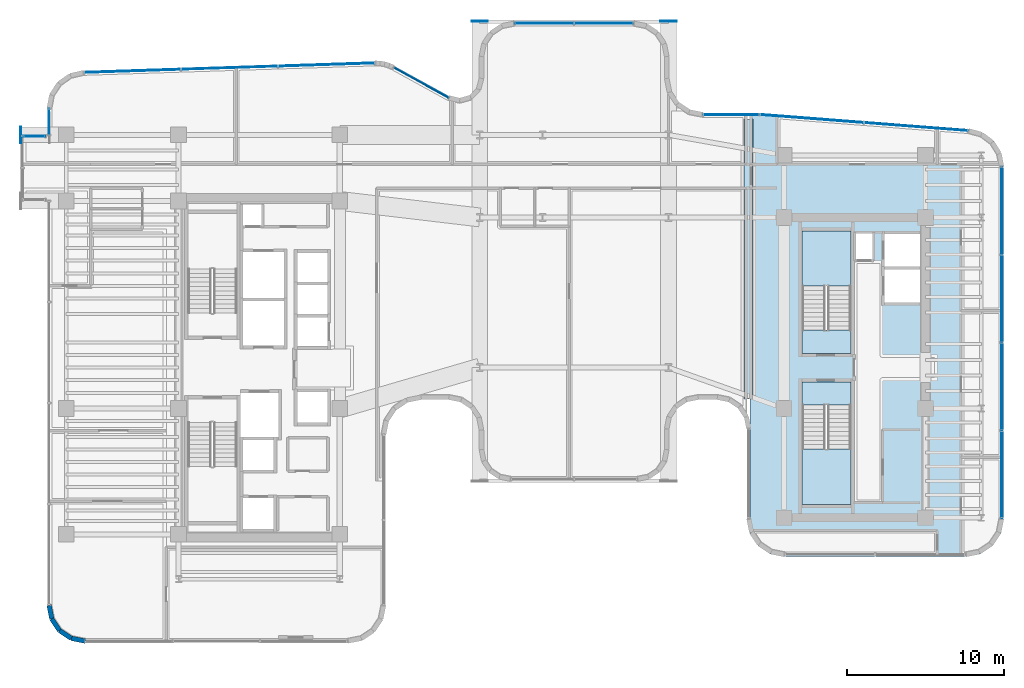
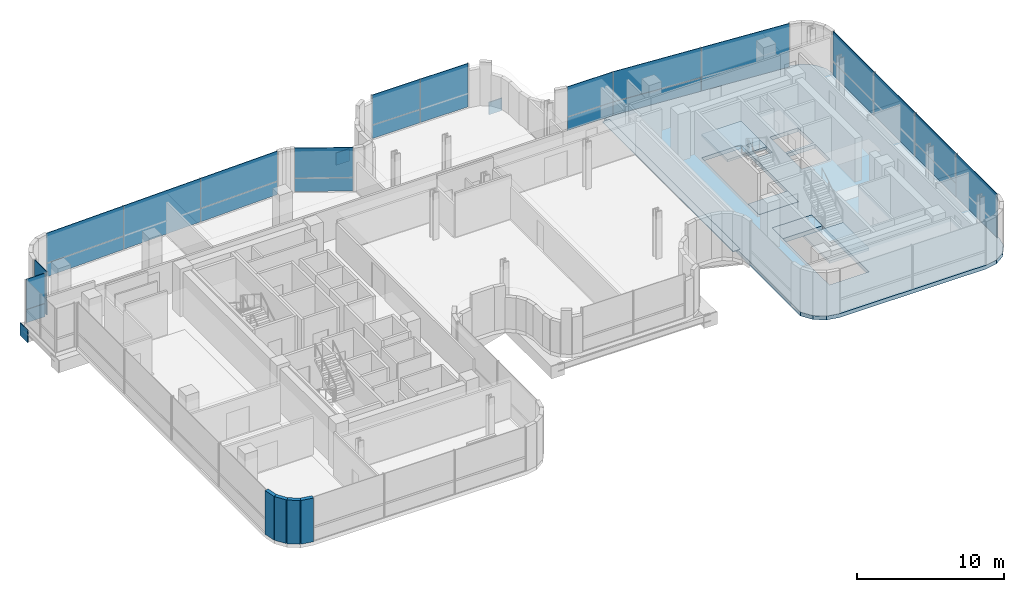
# One storey, part 26 of 37: 29 plates, 5 slabs, 4 walls, 10 elements without a shape of their own.
"""IFC4 building model written with IfcOpenShell, lengths in metres."""

from ifc_helpers import new_model, si_unit, direction, frame, frame_2d, origin, origin_2d, place, context, subcontext, project, spatial, polyline, rectangle, outline, extrude, source, transform, mapped, material, layer, layer_set, type_object, element, aggregate, save


model = new_model("IFC4")

# Units and contexts
model_context = context("Model", 3, precision=1e-05, world=origin(), true_north=direction((0.0, 1.0)))
body_context = subcontext(model_context, "Body", "Model", "MODEL_VIEW")
ifc_project = project(units=[si_unit("LENGTHUNIT", "METRE"), si_unit("AREAUNIT", "SQUARE_METRE"), si_unit("VOLUMEUNIT", "CUBIC_METRE"), si_unit("PLANEANGLEUNIT", "RADIAN"), si_unit("MASSUNIT", "GRAM", prefix="KILO")], contexts=[model_context])

# Site, building, storey
site_placement = place(None, origin())
site = spatial("IfcSite", under=ifc_project, at=site_placement, CompositionType="ELEMENT")
building_placement = place(site_placement, origin())
building = spatial("IfcBuilding", under=site, at=building_placement, Name="Valdorenza Pilgrim Sanctuary Tower", CompositionType="ELEMENT")
storey_placement = place(building_placement, frame((0.0, 0.0, 188.39990234375)))
storey = spatial("IfcBuildingStorey", under=building, at=storey_placement, Name="L48", CompositionType="ELEMENT", Elevation=188.39990234375)

# Slab
ifc_material_1 = material(Name="Concrete C40/50", Category="concrete")
ifc_layer_1 = layer(ifc_material_1, 0.320068359375, Name="Concrete C40/50")
ifc_layer_set_1 = layer_set([ifc_layer_1], Name="Concrete C40/50")
slab_type_1 = type_object("IfcSlabType", Name="SLAB-PRY-320", PredefinedType="FLOOR", material=ifc_layer_set_1)
slab_1_placement = place(storey_placement, frame((0.0, 0.0, -0.31982421875)))
element("IfcSlab", 1, at=slab_1_placement, inside=storey, type_object=slab_type_1, Name="L48 Structural Floor Slab 2", PredefinedType="FLOOR", context=body_context, shape_type="SweptSolid", body=[
    extrude(outline(polyline([(27.585205078125, 15.17138671875), (28.4453125, 14.93896484375), (29.161376953125, 14.408935546875), (29.634521484375, 13.654052734375), (29.800048828125, 12.778564453125), (29.800048828125, -9.60009765625), (29.6171875, -10.518310546875), (29.09716796875, -11.297119140625), (28.318359375, -11.8173828125), (27.39990234375, -12.0), (15.89990234375, -12.0), (14.981689453125, -11.8173828125), (14.202880859375, -11.297119140625), (13.6826171875, -10.518310546875), (13.679931640625, -10.5048828125), (13.679931640625, 16.199951171875), (14.300048828125, 16.199951171875), (27.585205078125, 15.17138671875)]), holes=[polyline([(17.0, -8.699951171875), (20.110107421875, -8.699951171875), (20.110107421875, -2.385009765625), (20.110107421875, -0.89990234375), (17.0, -0.89990234375), (17.0, -2.385009765625), (17.0, -8.699951171875)]), polyline([(17.0, 0.89990234375), (20.110107421875, 0.89990234375), (20.110107421875, 2.385009765625), (20.110107421875, 8.699951171875), (17.0, 8.699951171875), (17.0, 2.385009765625), (17.0, 0.89990234375)]), polyline([(22.25, 4.14990234375), (24.47998046875, 4.14990234375), (24.47998046875, 6.22509765625), (22.25, 6.22509765625), (22.25, 4.14990234375)]), polyline([(22.25, 6.425048828125), (24.47998046875, 6.425048828125), (24.47998046875, 8.5), (22.25, 8.5), (22.25, 6.425048828125)]), polyline([(20.409912109375, 6.860107421875), (21.489990234375, 6.860107421875), (21.489990234375, 8.52001953125), (20.409912109375, 8.52001953125), (20.409912109375, 6.860107421875)])]), origin(), (0.0, 0.0, 1.0), 0.31982421875),
])

# Stair, slab
stair_type = type_object("IfcStairType", Name="STR-DOG-CORE", PredefinedType="HALF_TURN_STAIR", material=ifc_material_1)
stair_1_placement = place(storey_placement, origin())
stair_1 = element("IfcStair", 2, at=stair_1_placement, inside=storey, type_object=stair_type, Name="L48 ST-B1", PredefinedType="HALF_TURN_STAIR")
ifc_layer_2 = layer(ifc_material_1, 0.199951171875, Name="Concrete C40/50")
ifc_layer_set_2 = layer_set([ifc_layer_2], Name="Concrete C40/50")
slab_type_2 = type_object("IfcSlabType", Name="SLAB-STL-200", PredefinedType="LANDING", material=ifc_layer_set_2)
slab_2_placement = place(storey_placement, frame((0.0, 0.0, 1.775146484375)))
slab_2 = element("IfcSlab", 3, at=slab_2_placement, type_object=slab_type_2, Name="ST-B1 landing 1", PredefinedType="LANDING", context=body_context, shape_type="SweptSolid", body=[
    extrude(outline(polyline([(20.110107421875, 5.179931640625), (20.110107421875, 8.699951171875), (17.0, 8.699951171875), (17.0, 5.179931640625), (20.110107421875, 5.179931640625)])), origin(), (0.0, 0.0, 1.0), 0.199951171875),
])
aggregate(stair_1, [slab_2])

stair_2_placement = place(storey_placement, origin())
stair_2 = element("IfcStair", 4, at=stair_2_placement, inside=storey, type_object=stair_type, Name="L48 ST-B2", PredefinedType="HALF_TURN_STAIR")
slab_3_placement = place(storey_placement, frame((0.0, 0.0, 1.775146484375)))
slab_3 = element("IfcSlab", 5, at=slab_3_placement, type_object=slab_type_2, Name="ST-B2 landing 1", PredefinedType="LANDING", context=body_context, shape_type="SweptSolid", body=[
    extrude(outline(polyline([(17.0, -5.179931640625), (17.0, -8.699951171875), (20.110107421875, -8.699951171875), (20.110107421875, -5.179931640625), (17.0, -5.179931640625)])), origin(), (0.0, 0.0, 1.0), 0.199951171875),
])
aggregate(stair_2, [slab_3])

# Slabs
ifc_material_2 = material(Name="Concrete C50/60", Category="concrete")
ifc_layer_3 = layer(ifc_material_2, 0.39990234375, Name="Concrete C50/60")
ifc_layer_set_3 = layer_set([ifc_layer_3], Name="Concrete C50/60")
slab_type_3 = type_object("IfcSlabType", Name="SLAB-TRF-400", PredefinedType="FLOOR", material=ifc_layer_set_3)
slab_4_placement = place(storey_placement, frame((0.0, 0.0, -0.35986328125)))
element("IfcSlab", 6, at=slab_4_placement, inside=storey, type_object=slab_type_3, Name="L48 ST-B1 Structural Stair Landing Bearing Slab", PredefinedType="FLOOR", context=body_context, shape_type="SweptSolid", body=[
    extrude(outline(polyline([(17.0, 0.89990234375), (20.110107421875, 0.89990234375), (20.110107421875, 2.385009765625), (17.0, 2.385009765625), (17.0, 0.89990234375)])), origin(), (0.0, 0.0, 1.0), 0.35986328125),
])
slab_5_placement = place(storey_placement, frame((0.0, 0.0, -0.35986328125)))
element("IfcSlab", 7, at=slab_5_placement, inside=storey, type_object=slab_type_3, Name="L48 ST-B2 Structural Stair Landing Bearing Slab", PredefinedType="FLOOR", context=body_context, shape_type="SweptSolid", body=[
    extrude(outline(polyline([(17.0, -2.385009765625), (20.110107421875, -2.385009765625), (20.110107421875, -0.89990234375), (17.0, -0.89990234375), (17.0, -2.385009765625)])), origin(), (0.0, 0.0, 1.0), 0.35986328125),
])

# Plates
ifc_material_3 = material(Name="Steel ASTM A572 Grade 42", Category="steel")
ifc_layer_4 = layer(ifc_material_3, 0.06005859375, Name="Steel ASTM A572 Grade 42")
ifc_layer_set_4 = layer_set([ifc_layer_4], Name="Steel ASTM A572 Grade 42")
plate_type_1 = type_object("IfcPlateType", Name="PLT-CAP-60", PredefinedType="SHEET", material=ifc_layer_set_4)
shared_shape_1 = source(origin(), body_context, "Body", "SweptSolid", [
    extrude(rectangle(XDim=0.56005859375, YDim=17.800048828125, at=origin_2d()), origin(), (0.0, 0.0, 1.0), 0.06005859375),
])
plate_1_placement = place(storey_placement, frame((13.590087890625, 6.89990234375, -0.059814453125), z_axis=(0.0, 0.0, 1.0), x_axis=(1.0, 0.0, 0.0)))
element("IfcPlate", 8, at=plate_1_placement, inside=storey, type_object=plate_type_1, Name="L48 Portal Bridge Expansion Joint Cover Plate", PredefinedType="SHEET", context=body_context, shape_type="MappedRepresentation", body=[
    mapped(shared_shape_1, transform((0.0, 0.0, 0.0), x_axis=(1.0, 0.0, 0.0), y_axis=(0.0, 1.0, 0.0), z_axis=(0.0, 0.0, 1.0), scale=1.0)),
])
shared_shape_2 = source(origin(), body_context, "Body", "SweptSolid", [
    extrude(rectangle(XDim=0.06005859375, YDim=1.0400390625, at=origin_2d()), origin(), (0.0, 0.0, 1.0), 1.0400390625),
])
plate_2_placement = place(storey_placement, frame((-32.679931640625, 14.800048828125, -1.33984375), z_axis=(0.0, 0.0, 1.0), x_axis=(1.0, 0.0, 0.0)))
element("IfcPlate", 9, at=plate_2_placement, inside=storey, type_object=plate_type_1, Name="L48 BOX-WA-L48 Cantilever Tip End Cap N", PredefinedType="SHEET", context=body_context, shape_type="MappedRepresentation", body=[
    mapped(shared_shape_2, transform((0.0, 0.0, 0.0), x_axis=(1.0, 0.0, 0.0), y_axis=(0.0, 1.0, 0.0), z_axis=(0.0, 0.0, 1.0), scale=1.0)),
])
shared_shape_3 = source(origin(), body_context, "Body", "SweptSolid", [
    extrude(rectangle(XDim=1.0400390625, YDim=0.06005859375, at=origin_2d()), origin(), (0.0, 0.0, 1.0), 1.0400390625),
])
for number, where, z_axis, x_axis, name in (
    (10, (-3.5, 22.030029296875, -1.33984375), (0.0, 0.0, 1.0), (1.0, 0.0, 0.0), "L48 North Prow Cantilever End Cap W"),
    (11, (8.5, 22.030029296875, -1.33984375), (0.0, 0.0, 1.0), (1.0, 0.0, 0.0), "L48 North Prow Cantilever End Cap E"),
):
    element("IfcPlate", number, at=place(storey_placement, frame(where, z_axis=z_axis, x_axis=x_axis)), inside=storey, type_object=plate_type_1, Name=name, PredefinedType="SHEET", context=body_context, shape_type="MappedRepresentation", body=[
        mapped(shared_shape_3, transform((0.0, 0.0, 0.0), x_axis=(1.0, 0.0, 0.0), y_axis=(0.0, 1.0, 0.0), z_axis=(0.0, 0.0, 1.0), scale=1.0)),
    ])

# Curtain wall, plate
ifc_material_4 = material(Name="Curtain-wall IGU glazing", Category="glass")
curtain_wall_type_1 = type_object("IfcCurtainWallType", Name="CW-SYS-02", PredefinedType="NOTDEFINED", material=ifc_material_4)
curtain_wall_1_placement = place(storey_placement, origin())
curtain_wall_1 = element("IfcCurtainWall", 12, at=curtain_wall_1_placement, inside=storey, type_object=curtain_wall_type_1, Name="L48 Curtain Wall CW-L48-BOX-WA-L48-N", PredefinedType="NOTDEFINED")
ifc_material_5 = material(Name="Honed travertine limestone", Category="masonry")
ifc_layer_5 = layer(ifc_material_5, 0.050048828125, Name="Honed travertine limestone")
ifc_layer_set_5 = layer_set([ifc_layer_5], Name="Honed travertine limestone")
plate_type_2 = type_object("IfcPlateType", Name="CW-SPN-TRV", PredefinedType="USERDEFINED", material=ifc_layer_set_5)
shared_shape_4 = source(origin(), body_context, "Body", "SweptSolid", [
    extrude(rectangle(XDim=1.43994140625, YDim=0.06005859375, at=origin_2d()), origin(), (0.0, 0.0, 1.0), 1.10009765625),
])
plate_3_placement = place(storey_placement, frame((-31.840087890625, 14.719970703125, 0.010009765625), z_axis=(0.0, 0.0, 1.0), x_axis=(1.0, 0.0, 0.0)))
plate_3 = element("IfcPlate", 13, at=plate_3_placement, type_object=plate_type_2, Name="CW-L48-BOX-WA-L48-N Travertine Spandrel 1", ObjectType="SPANDREL", PredefinedType="USERDEFINED", context=body_context, shape_type="MappedRepresentation", body=[
    mapped(shared_shape_4, transform((0.0, 0.0, 0.0), x_axis=(1.0, 0.0, 0.0), y_axis=(0.0, 1.0, 0.0), z_axis=(0.0, 0.0, 1.0), scale=1.0)),
])

# Curtain wall, plates
curtain_wall_2_placement = place(storey_placement, origin())
curtain_wall_2 = element("IfcCurtainWall", 14, at=curtain_wall_2_placement, inside=storey, type_object=curtain_wall_type_1, Name="L48 Curtain Wall CW-L48-1-6", PredefinedType="NOTDEFINED")
shared_shape_5 = source(origin(), body_context, "Body", "SweptSolid", [
    extrude(rectangle(XDim=6.15185546875, YDim=0.06005859375, at=origin_2d()), origin(), (0.0, 0.0, 1.0), 1.10009765625),
])
plate_4_placement = place(storey_placement, frame((-25.57958984375, 18.866455078125, 0.010009765625), z_axis=(0.0, 0.0, 1.0), x_axis=(0.999470282811, 0.032544642846, 0.0)))
plate_4 = element("IfcPlate", 15, at=plate_4_placement, type_object=plate_type_2, Name="CW-L48-1-6 Travertine Spandrel 1", ObjectType="SPANDREL", PredefinedType="USERDEFINED", context=body_context, shape_type="MappedRepresentation", body=[
    mapped(shared_shape_5, transform((0.0, 0.0, 0.0), x_axis=(1.0, 0.0, 0.0), y_axis=(0.0, 1.0, 0.0), z_axis=(0.0, 0.0, 1.0), scale=1.0)),
])
plate_5_placement = place(storey_placement, frame((-13.2421875, 19.26806640625, 0.010009765625), z_axis=(0.0, 0.0, 1.0), x_axis=(0.999470282811, 0.032544642846, 0.0)))
plate_5 = element("IfcPlate", 16, at=plate_5_placement, type_object=plate_type_2, Name="CW-L48-1-6 Travertine Spandrel 3", ObjectType="SPANDREL", PredefinedType="USERDEFINED", context=body_context, shape_type="MappedRepresentation", body=[
    mapped(shared_shape_5, transform((0.0, 0.0, 0.0), x_axis=(1.0, 0.0, 0.0), y_axis=(0.0, 1.0, 0.0), z_axis=(0.0, 0.0, 1.0), scale=1.0)),
])

# Curtain wall, plate
curtain_wall_type_2 = type_object("IfcCurtainWallType", Name="CW-SYS-05", PredefinedType="NOTDEFINED", material=ifc_material_4)
curtain_wall_3_placement = place(storey_placement, origin())
curtain_wall_3 = element("IfcCurtainWall", 17, at=curtain_wall_3_placement, inside=storey, type_object=curtain_wall_type_2, Name="L48 Curtain Wall CW-L48-1-11", PredefinedType="NOTDEFINED")
shared_shape_6 = source(origin(), body_context, "Body", "SweptSolid", [
    extrude(rectangle(XDim=3.97607421875, YDim=0.06005859375, at=origin_2d()), origin(), (0.0, 0.0, 1.0), 1.10009765625),
])
plate_6_placement = place(storey_placement, frame((-7.222412109375, 18.12158203125, 0.010009765625), z_axis=(0.0, 0.0, 1.0), x_axis=(0.876214173829, -0.481921904027, 0.0)))
plate_6 = element("IfcPlate", 18, at=plate_6_placement, type_object=plate_type_2, Name="CW-L48-1-11 Travertine Spandrel 1", ObjectType="SPANDREL", PredefinedType="USERDEFINED", context=body_context, shape_type="MappedRepresentation", body=[
    mapped(shared_shape_6, transform((0.0, 0.0, 0.0), x_axis=(1.0, 0.0, 0.0), y_axis=(0.0, 1.0, 0.0), z_axis=(0.0, 0.0, 1.0), scale=1.0)),
])

curtain_wall_4_placement = place(storey_placement, origin())
curtain_wall_4 = element("IfcCurtainWall", 19, at=curtain_wall_4_placement, inside=storey, type_object=curtain_wall_type_2, Name="L48 Curtain Wall CW-L48-1-21", PredefinedType="NOTDEFINED")
shared_shape_7 = source(origin(), body_context, "Body", "SweptSolid", [
    extrude(rectangle(XDim=3.76513671875, YDim=0.06005859375, at=origin_2d()), origin(), (0.0, 0.0, 1.0), 1.10009765625),
])
plate_7_placement = place(storey_placement, frame((0.607421875, 21.889892578125, 0.010009765625), z_axis=(0.0, 0.0, 1.0), x_axis=(1.0, 0.0, 0.0)))
plate_7 = element("IfcPlate", 20, at=plate_7_placement, type_object=plate_type_2, Name="CW-L48-1-21 Travertine Spandrel 1", ObjectType="SPANDREL", PredefinedType="USERDEFINED", context=body_context, shape_type="MappedRepresentation", body=[
    mapped(shared_shape_7, transform((0.0, 0.0, 0.0), x_axis=(1.0, 0.0, 0.0), y_axis=(0.0, 1.0, 0.0), z_axis=(0.0, 0.0, 1.0), scale=1.0)),
])

curtain_wall_5_placement = place(storey_placement, origin())
curtain_wall_5 = element("IfcCurtainWall", 21, at=curtain_wall_5_placement, inside=storey, type_object=curtain_wall_type_2, Name="L48 Curtain Wall CW-L48-1-31", PredefinedType="NOTDEFINED")
shared_shape_8 = source(origin(), body_context, "Body", "SweptSolid", [
    extrude(rectangle(XDim=3.58251953125, YDim=0.06005859375, at=origin_2d()), origin(), (0.0, 0.0, 1.0), 1.10009765625),
])
plate_8_placement = place(storey_placement, frame((12.494384765625, 16.090087890625, 0.010009765625), z_axis=(0.0, 0.0, 1.0), x_axis=(1.0, 0.0, 0.0)))
plate_8 = element("IfcPlate", 22, at=plate_8_placement, type_object=plate_type_2, Name="CW-L48-1-31 Travertine Spandrel 1", ObjectType="SPANDREL", PredefinedType="USERDEFINED", context=body_context, shape_type="MappedRepresentation", body=[
    mapped(shared_shape_8, transform((0.0, 0.0, 0.0), x_axis=(1.0, 0.0, 0.0), y_axis=(0.0, 1.0, 0.0), z_axis=(0.0, 0.0, 1.0), scale=1.0)),
])

curtain_wall_type_3 = type_object("IfcCurtainWallType", Name="CW-SYS-03", PredefinedType="NOTDEFINED", material=ifc_material_4)
curtain_wall_6_placement = place(storey_placement, origin())
curtain_wall_6 = element("IfcCurtainWall", 23, at=curtain_wall_6_placement, inside=storey, type_object=curtain_wall_type_3, Name="L48 Curtain Wall CW-L48-1-32", PredefinedType="NOTDEFINED")
shared_shape_9 = source(origin(), body_context, "Body", "SweptSolid", [
    extrude(rectangle(XDim=6.63525390625, YDim=0.06005859375, at=origin_2d()), origin(), (0.0, 0.0, 1.0), 1.10009765625),
])
plate_9_placement = place(storey_placement, frame((17.61328125, 15.8330078125, 0.010009765625), z_axis=(0.0, 0.0, 1.0), x_axis=(0.997016488532, -0.077188869631, 0.0)))
plate_9 = element("IfcPlate", 24, at=plate_9_placement, type_object=plate_type_2, Name="CW-L48-1-32 Travertine Spandrel 1", ObjectType="SPANDREL", PredefinedType="USERDEFINED", context=body_context, shape_type="MappedRepresentation", body=[
    mapped(shared_shape_9, transform((0.0, 0.0, 0.0), x_axis=(1.0, 0.0, 0.0), y_axis=(0.0, 1.0, 0.0), z_axis=(0.0, 0.0, 1.0), scale=1.0)),
])

# Curtain wall, plates
curtain_wall_7_placement = place(storey_placement, origin())
curtain_wall_7 = element("IfcCurtainWall", 25, at=curtain_wall_7_placement, inside=storey, type_object=curtain_wall_type_3, Name="L48 Curtain Wall CW-L48-1-37", PredefinedType="NOTDEFINED")
shared_shape_10 = source(origin(), body_context, "Body", "SweptSolid", [
    extrude(rectangle(XDim=5.5693359375, YDim=0.06005859375, at=origin_2d()), origin(), (0.0, 0.0, 1.0), 1.10009765625),
])
plate_10_placement = place(storey_placement, frame((29.68994140625, 9.9736328125, 0.010009765625), z_axis=(0.0, 0.0, 1.0), x_axis=(0.0, -1.0, 0.0)))
plate_10 = element("IfcPlate", 26, at=plate_10_placement, type_object=plate_type_2, Name="CW-L48-1-37 Travertine Spandrel 1", ObjectType="SPANDREL", PredefinedType="USERDEFINED", context=body_context, shape_type="MappedRepresentation", body=[
    mapped(shared_shape_10, transform((0.0, 0.0, 0.0), x_axis=(1.0, 0.0, 0.0), y_axis=(0.0, 1.0, 0.0), z_axis=(0.0, 0.0, 1.0), scale=1.0)),
])
plate_11_placement = place(storey_placement, frame((29.68994140625, -1.205078125, 0.010009765625), z_axis=(0.0, 0.0, 1.0), x_axis=(0.0, -1.0, 0.0)))
plate_11 = element("IfcPlate", 27, at=plate_11_placement, type_object=plate_type_2, Name="CW-L48-1-37 Travertine Spandrel 3", ObjectType="SPANDREL", PredefinedType="USERDEFINED", context=body_context, shape_type="MappedRepresentation", body=[
    mapped(shared_shape_10, transform((0.0, 0.0, 0.0), x_axis=(1.0, 0.0, 0.0), y_axis=(0.0, 1.0, 0.0), z_axis=(0.0, 0.0, 1.0), scale=1.0)),
])

# Plate
ifc_material_6 = material(Name="Ceramic-fritted low-E IGU glazing", Category="glass")
ifc_layer_6 = layer(ifc_material_6, 0.035888671875, Name="Ceramic-fritted low-E IGU glazing")
ifc_layer_set_6 = layer_set([ifc_layer_6], Name="Ceramic-fritted low-E IGU glazing")
plate_type_3 = type_object("IfcPlateType", Name="CW-GLZ-IGU", PredefinedType="USERDEFINED", material=ifc_layer_set_6)
shared_shape_11 = source(origin(), body_context, "Body", "SweptSolid", [
    extrude(rectangle(XDim=6.15185546875, YDim=0.050048828125, at=origin_2d()), origin(), (0.0, 0.0, 1.0), 2.489990234375),
])
plate_12_placement = place(storey_placement, frame((-25.57958984375, 18.866455078125, 1.1298828125), z_axis=(0.0, 0.0, 1.0), x_axis=(0.999470282811, 0.032544642846, 0.0)))
plate_12 = element("IfcPlate", 28, at=plate_12_placement, type_object=plate_type_3, Name="CW-L48-1-6 Facade Panel 1", ObjectType="GLAZING", PredefinedType="USERDEFINED", context=body_context, shape_type="MappedRepresentation", body=[
    mapped(shared_shape_11, transform((0.0, 0.0, 0.0), x_axis=(1.0, 0.0, 0.0), y_axis=(0.0, 1.0, 0.0), z_axis=(0.0, 0.0, 1.0), scale=1.0)),
])

plate_13_placement = place(storey_placement, frame((-13.2421875, 19.26806640625, 1.1298828125), z_axis=(0.0, 0.0, 1.0), x_axis=(0.999470282811, 0.032544642846, 0.0)))
plate_13 = element("IfcPlate", 29, at=plate_13_placement, type_object=plate_type_3, Name="CW-L48-1-6 Facade Panel 3", ObjectType="GLAZING", PredefinedType="USERDEFINED", context=body_context, shape_type="MappedRepresentation", body=[
    mapped(shared_shape_11, transform((0.0, 0.0, 0.0), x_axis=(1.0, 0.0, 0.0), y_axis=(0.0, 1.0, 0.0), z_axis=(0.0, 0.0, 1.0), scale=1.0)),
])

shared_shape_12 = source(origin(), body_context, "Body", "SweptSolid", [
    extrude(rectangle(XDim=6.15185546875, YDim=0.050048828125, at=origin_2d()), origin(), (0.0, 0.0, 1.0), 3.610107421875),
])
plate_14_placement = place(storey_placement, frame((-19.410888671875, 19.0673828125, 0.01025390625), z_axis=(0.0, 0.0, 1.0), x_axis=(0.999470282811, 0.032544642846, 0.0)))
plate_14 = element("IfcPlate", 30, at=plate_14_placement, type_object=plate_type_3, Name="CW-L48-1-6 Full-Height Facade Panel 2", ObjectType="GLAZING", PredefinedType="USERDEFINED", context=body_context, shape_type="MappedRepresentation", body=[
    mapped(shared_shape_12, transform((0.0, 0.0, 0.0), x_axis=(1.0, 0.0, 0.0), y_axis=(0.0, 1.0, 0.0), z_axis=(0.0, 0.0, 1.0), scale=1.0)),
])

aggregate(curtain_wall_2, [plate_4, plate_12, plate_14, plate_5, plate_13])

shared_shape_13 = source(origin(), body_context, "Body", "SweptSolid", [
    extrude(rectangle(XDim=3.97607421875, YDim=0.050048828125, at=origin_2d()), origin(), (0.0, 0.0, 1.0), 2.489990234375),
])
plate_15_placement = place(storey_placement, frame((-7.222412109375, 18.12158203125, 1.1298828125), z_axis=(0.0, 0.0, 1.0), x_axis=(0.876214173829, -0.481921904027, 0.0)))
plate_15 = element("IfcPlate", 31, at=plate_15_placement, type_object=plate_type_3, Name="CW-L48-1-11 Facade Panel 1", ObjectType="GLAZING", PredefinedType="USERDEFINED", context=body_context, shape_type="MappedRepresentation", body=[
    mapped(shared_shape_13, transform((0.0, 0.0, 0.0), x_axis=(1.0, 0.0, 0.0), y_axis=(0.0, 1.0, 0.0), z_axis=(0.0, 0.0, 1.0), scale=1.0)),
])

aggregate(curtain_wall_3, [plate_6, plate_15])

shared_shape_14 = source(origin(), body_context, "Body", "SweptSolid", [
    extrude(rectangle(XDim=3.76513671875, YDim=0.050048828125, at=origin_2d()), origin(), (0.0, 0.0, 1.0), 2.489990234375),
])
plate_16_placement = place(storey_placement, frame((0.607421875, 21.889892578125, 1.1298828125), z_axis=(0.0, 0.0, 1.0), x_axis=(1.0, 0.0, 0.0)))
plate_16 = element("IfcPlate", 32, at=plate_16_placement, type_object=plate_type_3, Name="CW-L48-1-21 Facade Panel 1", ObjectType="GLAZING", PredefinedType="USERDEFINED", context=body_context, shape_type="MappedRepresentation", body=[
    mapped(shared_shape_14, transform((0.0, 0.0, 0.0), x_axis=(1.0, 0.0, 0.0), y_axis=(0.0, 1.0, 0.0), z_axis=(0.0, 0.0, 1.0), scale=1.0)),
])

shared_shape_15 = source(origin(), body_context, "Body", "SweptSolid", [
    extrude(rectangle(XDim=3.76513671875, YDim=0.050048828125, at=origin_2d()), origin(), (0.0, 0.0, 1.0), 3.610107421875),
])
plate_17_placement = place(storey_placement, frame((4.392578125, 21.889892578125, 0.01025390625), z_axis=(0.0, 0.0, 1.0), x_axis=(1.0, 0.0, 0.0)))
plate_17 = element("IfcPlate", 33, at=plate_17_placement, type_object=plate_type_3, Name="CW-L48-1-21 Full-Height Facade Panel 2", ObjectType="GLAZING", PredefinedType="USERDEFINED", context=body_context, shape_type="MappedRepresentation", body=[
    mapped(shared_shape_15, transform((0.0, 0.0, 0.0), x_axis=(1.0, 0.0, 0.0), y_axis=(0.0, 1.0, 0.0), z_axis=(0.0, 0.0, 1.0), scale=1.0)),
])

aggregate(curtain_wall_4, [plate_7, plate_16, plate_17])

shared_shape_16 = source(origin(), body_context, "Body", "SweptSolid", [
    extrude(rectangle(XDim=3.58251953125, YDim=0.050048828125, at=origin_2d()), origin(), (0.0, 0.0, 1.0), 2.489990234375),
])
plate_18_placement = place(storey_placement, frame((12.494384765625, 16.090087890625, 1.1298828125), z_axis=(0.0, 0.0, 1.0), x_axis=(1.0, 0.0, 0.0)))
plate_18 = element("IfcPlate", 34, at=plate_18_placement, type_object=plate_type_3, Name="CW-L48-1-31 Facade Panel 1", ObjectType="GLAZING", PredefinedType="USERDEFINED", context=body_context, shape_type="MappedRepresentation", body=[
    mapped(shared_shape_16, transform((0.0, 0.0, 0.0), x_axis=(1.0, 0.0, 0.0), y_axis=(0.0, 1.0, 0.0), z_axis=(0.0, 0.0, 1.0), scale=1.0)),
])

aggregate(curtain_wall_5, [plate_8, plate_18])

shared_shape_17 = source(origin(), body_context, "Body", "SweptSolid", [
    extrude(rectangle(XDim=6.63525390625, YDim=0.050048828125, at=origin_2d()), origin(), (0.0, 0.0, 1.0), 2.489990234375),
])
plate_19_placement = place(storey_placement, frame((17.61328125, 15.8330078125, 1.1298828125), z_axis=(0.0, 0.0, 1.0), x_axis=(0.997016488532, -0.077188869631, 0.0)))
plate_19 = element("IfcPlate", 35, at=plate_19_placement, type_object=plate_type_3, Name="CW-L48-1-32 Facade Panel 1", ObjectType="GLAZING", PredefinedType="USERDEFINED", context=body_context, shape_type="MappedRepresentation", body=[
    mapped(shared_shape_17, transform((0.0, 0.0, 0.0), x_axis=(1.0, 0.0, 0.0), y_axis=(0.0, 1.0, 0.0), z_axis=(0.0, 0.0, 1.0), scale=1.0)),
])

shared_shape_18 = source(origin(), body_context, "Body", "SweptSolid", [
    extrude(rectangle(XDim=6.63525390625, YDim=0.050048828125, at=origin_2d()), origin(), (0.0, 0.0, 1.0), 3.610107421875),
])
plate_20_placement = place(storey_placement, frame((24.248779296875, 15.3193359375, 0.01025390625), z_axis=(0.0, 0.0, 1.0), x_axis=(0.997016488532, -0.077188869631, 0.0)))
plate_20 = element("IfcPlate", 36, at=plate_20_placement, type_object=plate_type_3, Name="CW-L48-1-32 Full-Height Facade Panel 2", ObjectType="GLAZING", PredefinedType="USERDEFINED", context=body_context, shape_type="MappedRepresentation", body=[
    mapped(shared_shape_18, transform((0.0, 0.0, 0.0), x_axis=(1.0, 0.0, 0.0), y_axis=(0.0, 1.0, 0.0), z_axis=(0.0, 0.0, 1.0), scale=1.0)),
])

aggregate(curtain_wall_6, [plate_9, plate_19, plate_20])

shared_shape_19 = source(origin(), body_context, "Body", "SweptSolid", [
    extrude(rectangle(XDim=5.5693359375, YDim=0.050048828125, at=origin_2d()), origin(), (0.0, 0.0, 1.0), 2.489990234375),
])
plate_21_placement = place(storey_placement, frame((29.68994140625, 9.9736328125, 1.1298828125), z_axis=(0.0, 0.0, 1.0), x_axis=(0.0, -1.0, 0.0)))
plate_21 = element("IfcPlate", 37, at=plate_21_placement, type_object=plate_type_3, Name="CW-L48-1-37 Facade Panel 1", ObjectType="GLAZING", PredefinedType="USERDEFINED", context=body_context, shape_type="MappedRepresentation", body=[
    mapped(shared_shape_19, transform((0.0, 0.0, 0.0), x_axis=(1.0, 0.0, 0.0), y_axis=(0.0, 1.0, 0.0), z_axis=(0.0, 0.0, 1.0), scale=1.0)),
])

plate_22_placement = place(storey_placement, frame((29.68994140625, -1.205078125, 1.1298828125), z_axis=(0.0, 0.0, 1.0), x_axis=(0.0, -1.0, 0.0)))
plate_22 = element("IfcPlate", 38, at=plate_22_placement, type_object=plate_type_3, Name="CW-L48-1-37 Facade Panel 3", ObjectType="GLAZING", PredefinedType="USERDEFINED", context=body_context, shape_type="MappedRepresentation", body=[
    mapped(shared_shape_19, transform((0.0, 0.0, 0.0), x_axis=(1.0, 0.0, 0.0), y_axis=(0.0, 1.0, 0.0), z_axis=(0.0, 0.0, 1.0), scale=1.0)),
])

shared_shape_20 = source(origin(), body_context, "Body", "SweptSolid", [
    extrude(rectangle(XDim=5.5693359375, YDim=0.050048828125, at=origin_2d()), origin(), (0.0, 0.0, 1.0), 3.610107421875),
])
plate_23_placement = place(storey_placement, frame((29.68994140625, 4.38427734375, 0.01025390625), z_axis=(0.0, 0.0, 1.0), x_axis=(0.0, -1.0, 0.0)))
plate_23 = element("IfcPlate", 39, at=plate_23_placement, type_object=plate_type_3, Name="CW-L48-1-37 Full-Height Facade Panel 2", ObjectType="GLAZING", PredefinedType="USERDEFINED", context=body_context, shape_type="MappedRepresentation", body=[
    mapped(shared_shape_20, transform((0.0, 0.0, 0.0), x_axis=(1.0, 0.0, 0.0), y_axis=(0.0, 1.0, 0.0), z_axis=(0.0, 0.0, 1.0), scale=1.0)),
])

plate_24_placement = place(storey_placement, frame((29.68994140625, -6.79443359375, 0.01025390625), z_axis=(0.0, 0.0, 1.0), x_axis=(0.0, -1.0, 0.0)))
plate_24 = element("IfcPlate", 40, at=plate_24_placement, type_object=plate_type_3, Name="CW-L48-1-37 Full-Height Facade Panel 4", ObjectType="GLAZING", PredefinedType="USERDEFINED", context=body_context, shape_type="MappedRepresentation", body=[
    mapped(shared_shape_20, transform((0.0, 0.0, 0.0), x_axis=(1.0, 0.0, 0.0), y_axis=(0.0, 1.0, 0.0), z_axis=(0.0, 0.0, 1.0), scale=1.0)),
])

aggregate(curtain_wall_7, [plate_10, plate_21, plate_23, plate_11, plate_22, plate_24])

shared_shape_21 = source(origin(), body_context, "Body", "SweptSolid", [
    extrude(rectangle(XDim=1.43994140625, YDim=0.050048828125, at=origin_2d()), origin(), (0.0, 0.0, 1.0), 2.489990234375),
])
plate_25_placement = place(storey_placement, frame((-31.840087890625, 14.719970703125, 1.1298828125), z_axis=(0.0, 0.0, 1.0), x_axis=(1.0, 0.0, 0.0)))
plate_25 = element("IfcPlate", 41, at=plate_25_placement, type_object=plate_type_3, Name="CW-L48-BOX-WA-L48-N Facade Panel 1", ObjectType="GLAZING", PredefinedType="USERDEFINED", context=body_context, shape_type="MappedRepresentation", body=[
    mapped(shared_shape_21, transform((0.0, 0.0, 0.0), x_axis=(1.0, 0.0, 0.0), y_axis=(0.0, 1.0, 0.0), z_axis=(0.0, 0.0, 1.0), scale=1.0)),
])

aggregate(curtain_wall_1, [plate_3, plate_25])

# Curtain wall, plates
curtain_wall_8_placement = place(storey_placement, origin())
curtain_wall_8 = element("IfcCurtainWall", 42, at=curtain_wall_8_placement, inside=storey, type_object=curtain_wall_type_1, Name="L48 Curtain Wall CW-L48-1-1S2", PredefinedType="NOTDEFINED")
shared_shape_22 = source(origin(), body_context, "Body", "SweptSolid", [
    extrude(rectangle(XDim=1.646240234375, YDim=0.06005859375, at=origin_2d()), origin(), (0.0, 0.0, 1.0), 1.10009765625),
])
plate_26_placement = place(storey_placement, frame((-30.889892578125, 15.63330078125, 0.010009765625), z_axis=(0.0, 0.0, 1.0), x_axis=(0.0, 1.0, 0.0)))
plate_26 = element("IfcPlate", 43, at=plate_26_placement, type_object=plate_type_2, Name="CW-L48-1-1S2 Travertine Spandrel 1", ObjectType="SPANDREL", PredefinedType="USERDEFINED", context=body_context, shape_type="MappedRepresentation", body=[
    mapped(shared_shape_22, transform((0.0, 0.0, 0.0), x_axis=(1.0, 0.0, 0.0), y_axis=(0.0, 1.0, 0.0), z_axis=(0.0, 0.0, 1.0), scale=1.0)),
])
shared_shape_23 = source(origin(), body_context, "Body", "SweptSolid", [
    extrude(rectangle(XDim=1.646240234375, YDim=0.050048828125, at=origin_2d()), origin(), (0.0, 0.0, 1.0), 2.489990234375),
])
plate_27_placement = place(storey_placement, frame((-30.889892578125, 15.63330078125, 1.1298828125), z_axis=(0.0, 0.0, 1.0), x_axis=(0.0, 1.0, 0.0)))
plate_27 = element("IfcPlate", 44, at=plate_27_placement, type_object=plate_type_3, Name="CW-L48-1-1S2 Facade Panel 1", ObjectType="GLAZING", PredefinedType="USERDEFINED", context=body_context, shape_type="MappedRepresentation", body=[
    mapped(shared_shape_23, transform((0.0, 0.0, 0.0), x_axis=(1.0, 0.0, 0.0), y_axis=(0.0, 1.0, 0.0), z_axis=(0.0, 0.0, 1.0), scale=1.0)),
])
aggregate(curtain_wall_8, [plate_26, plate_27])

# Walls
ifc_layer_7 = layer(ifc_material_5, 0.300048828125, Name="Honed travertine limestone")
ifc_layer_set_7 = layer_set([ifc_layer_7], Name="Honed travertine limestone")
wall_type = type_object("IfcWallType", Name="WAL-EXT-300", PredefinedType="SOLIDWALL", material=ifc_layer_set_7)
wall_1_placement = place(storey_placement, frame((-28.589111328125, -17.389892578125, 0.0), z_axis=(0.0, 0.0, 1.0), x_axis=(-0.980798241101, 0.195025152871, 0.0)))
element("IfcWall", 45, at=wall_1_placement, inside=storey, type_object=wall_type, Name="L48 Rounded Wind-Corner Stone Pier 83", PredefinedType="SOLIDWALL", context=body_context, shape_type="SweptSolid", body=[
    extrude(rectangle(XDim=0.90380859375, YDim=0.300048828125, at=frame_2d((0.451904296875, 0.0))), origin(), (0.0, 0.0, 1.0), 3.630126953125),
])
for number, where, z_axis, x_axis, name in (
    (46, (-29.4755859375, -17.213623046875, 0.0), (0.0, 0.0, 1.0), (-0.831502848374, 0.555520488502, 0.0), "L48 Rounded Wind-Corner Stone Pier 84"),
    (47, (-30.2177734375, -16.7177734375, 0.0), (0.0, 0.0, 1.0), (-0.555520488502, 0.831502848374, 0.0), "L48 Rounded Wind-Corner Stone Pier 85"),
):
    element("IfcWall", number, at=place(storey_placement, frame(where, z_axis=z_axis, x_axis=x_axis)), inside=storey, type_object=wall_type, Name=name, PredefinedType="SOLIDWALL", context=body_context, shape_type="SweptSolid", body=[
        extrude(rectangle(XDim=0.892578125, YDim=0.300048828125, at=frame_2d((0.4462890625, 0.0))), origin(), (0.0, 0.0, 1.0), 3.630126953125),
    ])
wall_2_placement = place(storey_placement, frame((-30.713623046875, -15.9755859375, 0.0), z_axis=(0.0, 0.0, 1.0), x_axis=(-0.195025152871, 0.980798241101, 0.0)))
element("IfcWall", 48, at=wall_2_placement, inside=storey, type_object=wall_type, Name="L48 Rounded Wind-Corner Stone Pier 86", PredefinedType="SOLIDWALL", context=body_context, shape_type="SweptSolid", body=[
    extrude(rectangle(XDim=0.90380859375, YDim=0.300048828125, at=frame_2d((0.451904296875, 0.0))), origin(), (0.0, 0.0, 1.0), 3.630126953125),
])

save(model, "model.ifc")
